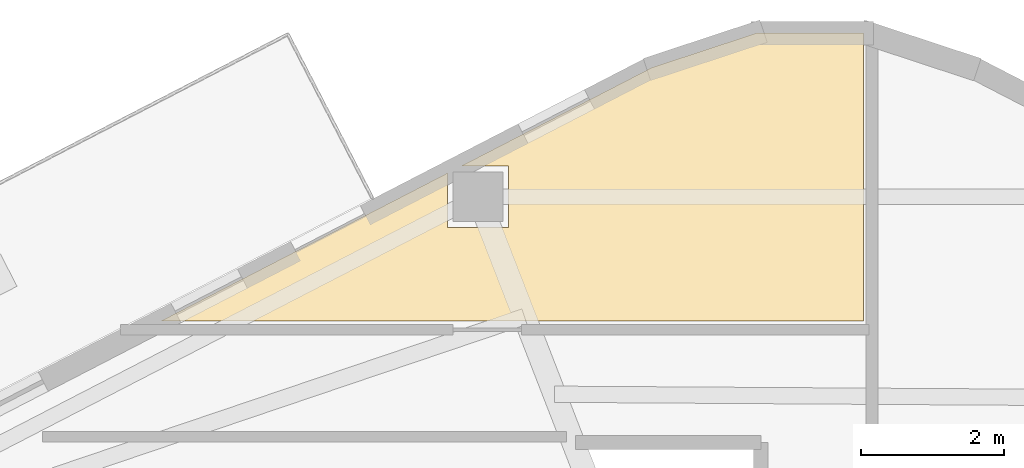
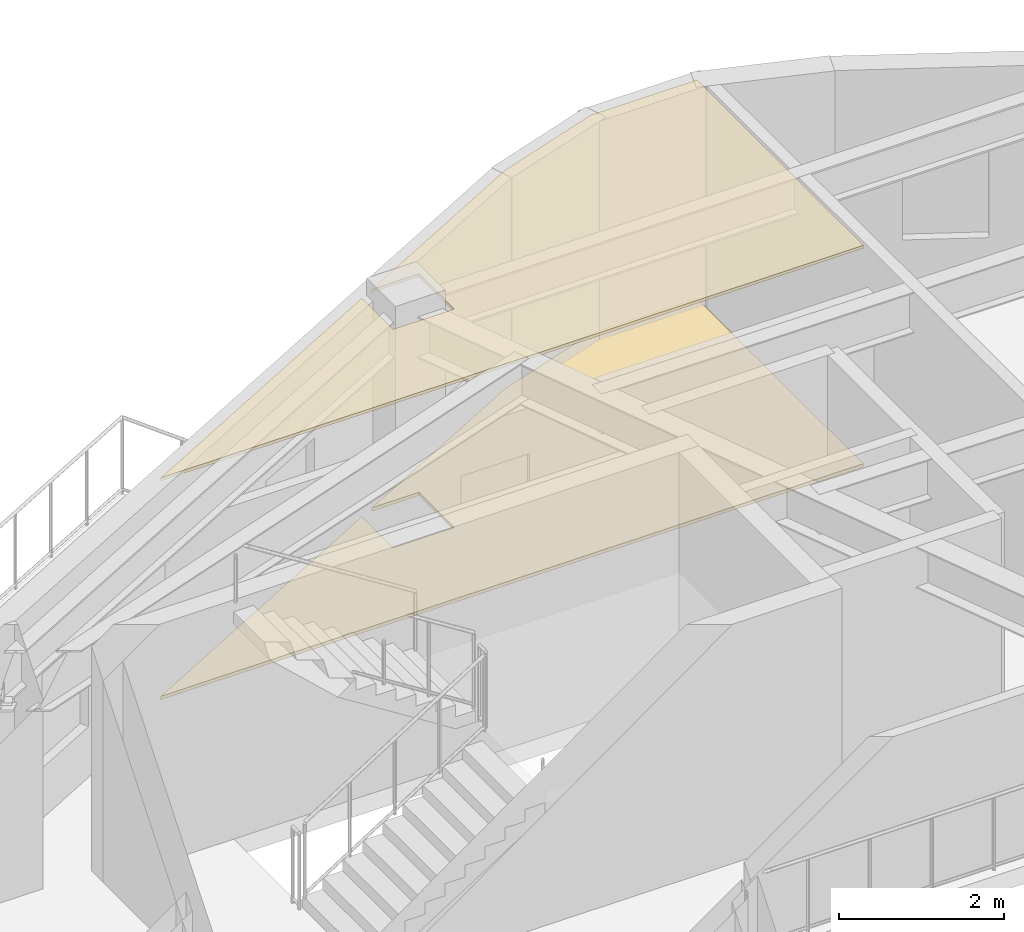
# One storey, part 7 of 7: 2 coverings.
"""IFC4 building model written with IfcOpenShell, lengths in metres."""

import ifcopenshell
import ifcopenshell.guid

model = None  # the IFC model being written
_history = None  # IfcOwnerHistory: only IFC2X3 demands one
_inside = {}  # id of a spatial element -> (the spatial element, [elements in it])
_under = {}  # id of a project, library or spatial element -> (it, [spatial elements below it])
_declared = {}  # id of a project -> (the project, [libraries it declares])
_typed = {}  # id of a type object -> (the type object, [elements of that type])
_made_of = {}  # id of a material, layer set ... -> (it, [elements and type objects made of it])


def new_model(schema):
    """Start an empty IFC model of exactly this schema.

    Asked for "IFC4X3", IfcOpenShell would pick the latest addendum, in which some entities
    have other attributes; the version numbers below select the first issue.
    IFC2X3 requires an IfcOwnerHistory on every rooted entity: one is made here for all.
    """
    global model, _history
    if schema == "IFC4X3":
        model = ifcopenshell.file(schema_version=(4, 3, 0, 0))
    else:
        model = ifcopenshell.file(schema=schema)
    _inside.clear()
    _under.clear()
    _declared.clear()
    _typed.clear()
    _made_of.clear()
    _history = None
    if model.schema == "IFC2X3":
        org = make("IfcOrganization", Name="unknown")
        user = make(
            "IfcPersonAndOrganization",
            ThePerson=make("IfcPerson", FamilyName="unknown"),
            TheOrganization=org,
        )
        app = make(
            "IfcApplication",
            ApplicationDeveloper=org,
            Version="unknown",
            ApplicationFullName="unknown",
            ApplicationIdentifier="unknown",
        )
        _history = make(
            "IfcOwnerHistory",
            OwningUser=user,
            OwningApplication=app,
            ChangeAction="ADDED",
            CreationDate=0,
        )
    return model


def make(cls, **values):
    """One entity of the class cls with the attributes given. An attribute that is None is left unset."""
    return model.create_entity(
        cls, **{name: value for name, value in values.items() if value is not None}
    )


def rooted(cls, **values):
    """An entity with a GlobalId (a new one), such as an element, a storey or a relation."""
    return make(cls, GlobalId=ifcopenshell.guid.new(), OwnerHistory=_history, **values)


def si_unit(unit_type, name, prefix=None):
    """IfcSIUnit, for example si_unit("LENGTHUNIT", "METRE", prefix="MILLI")."""
    return make("IfcSIUnit", UnitType=unit_type, Prefix=prefix, Name=name)


def assignment(units):
    """IfcUnitAssignment: the units of a project."""
    return None if units is None else make("IfcUnitAssignment", Units=units)


def point(xyz):
    """IfcCartesianPoint."""
    return None if xyz is None else make("IfcCartesianPoint", Coordinates=xyz)


def direction(xyz):
    """IfcDirection."""
    return None if xyz is None else make("IfcDirection", DirectionRatios=xyz)


def frame(location, z_axis=None, x_axis=None):
    """IfcAxis2Placement3D, a coordinate frame: its origin and axes. An axis left out is left unset."""
    return make(
        "IfcAxis2Placement3D",
        Location=point(location),
        Axis=direction(z_axis),
        RefDirection=direction(x_axis),
    )


def origin():
    """The frame at (0, 0, 0) with its axes left unset."""
    return frame((0.0, 0.0, 0.0))


def place(relative_to, where):
    """IfcLocalPlacement: puts the frame where relative to a parent placement (None: the world)."""
    return make(
        "IfcLocalPlacement", PlacementRelTo=relative_to, RelativePlacement=where
    )


def context(
    kind, dimensions, precision=None, world=None, true_north=None, identifier=None
):
    """IfcGeometricRepresentationContext, for example the 3D "Model" context."""
    return make(
        "IfcGeometricRepresentationContext",
        ContextIdentifier=identifier,
        ContextType=kind,
        CoordinateSpaceDimension=dimensions,
        Precision=precision,
        WorldCoordinateSystem=world,
        TrueNorth=true_north,
    )


def subcontext(parent, identifier, kind, view, scale=None):
    """IfcGeometricRepresentationSubContext, for example "Body" below "Model"."""
    return make(
        "IfcGeometricRepresentationSubContext",
        ContextIdentifier=identifier,
        ContextType=kind,
        ParentContext=parent,
        TargetScale=scale,
        TargetView=view,
    )


def project(units=None, contexts=None):
    """IfcProject with its units and contexts."""
    return rooted(
        "IfcProject",
        Name="project",
        RepresentationContexts=contexts,
        UnitsInContext=assignment(units),
    )


def spatial(cls, under=None, at=None, **own):
    """A site, building, storey or space (cls), placed at a placement, below another one or the project."""
    s = rooted(cls, ObjectPlacement=at, **own)
    if under is not None:
        _under.setdefault(under.id(), (under, []))[1].append(s)
    return s


def polyline(points):
    """IfcPolyline through the points."""
    return make("IfcPolyline", Points=[point(p) for p in points])


def outline(outer, holes=None, kind="AREA"):
    """IfcArbitraryClosedProfileDef: a profile drawn as a closed curve; with holes, ...WithVoids."""
    if holes is None:
        return make("IfcArbitraryClosedProfileDef", ProfileType=kind, OuterCurve=outer)
    return make(
        "IfcArbitraryProfileDefWithVoids",
        ProfileType=kind,
        OuterCurve=outer,
        InnerCurves=holes,
    )


def extrude(swept, where, along, depth):
    """IfcExtrudedAreaSolid: the profile swept, set in the frame where, extruded along a direction by depth."""
    return make(
        "IfcExtrudedAreaSolid",
        SweptArea=swept,
        Position=where,
        ExtrudedDirection=direction(along),
        Depth=depth,
    )


def shape(context_of_items, identifier, shape_type, items):
    """IfcShapeRepresentation: the items that make up one representation, for example the "Body"."""
    return make(
        "IfcShapeRepresentation",
        ContextOfItems=context_of_items,
        RepresentationIdentifier=identifier,
        RepresentationType=shape_type,
        Items=items,
    )


def material(Name=None, Category=None):
    """IfcMaterial."""
    return make("IfcMaterial", Name=Name, Category=Category)


def layer(
    of_material, thickness, ventilated=None, Name=None, Category=None, Priority=None
):
    """IfcMaterialLayer: one layer of a wall or slab, of a material (None: an air gap)."""
    return make(
        "IfcMaterialLayer",
        Material=of_material,
        LayerThickness=thickness,
        IsVentilated=ventilated,
        Name=Name,
        Category=Category,
        Priority=Priority,
    )


def layer_set(layers, Name=None):
    """IfcMaterialLayerSet."""
    return make("IfcMaterialLayerSet", MaterialLayers=layers, LayerSetName=Name)


def made_of(thing, what):
    """Note that an element or type object is made of a material, layer set ...; save() writes the relation."""
    if what is not None:
        _made_of.setdefault(what.id(), (what, []))[1].append(thing)
    return thing


def type_object(cls, material=None, **own):
    """A type object (cls), such as IfcWallType, which elements share."""
    return made_of(rooted(cls, **own), material)


def element(
    cls,
    number,
    at=None,
    inside=None,
    cuts=None,
    type_object=None,
    material=None,
    context=None,
    identifier="Body",
    shape_type=None,
    held_by="IfcProductDefinitionShape",
    body=None,
    shapes=None,
    **own,
):
    """One element of the class cls, such as IfcWall. Its Tag is "e" and its number.

    at: its placement. inside: the storey or other place that contains it. cuts: it is an
    opening in that element (IfcRelVoidsElement). A single representation is given by context,
    identifier, shape_type and body (its items); several are given by shapes. held_by: the class
    of the entity that holds the representations. save() writes the other relations.
    """
    e = rooted(cls, Tag="e%d" % number, ObjectPlacement=at, **own)
    if body is not None:
        shapes = [shape(context, identifier, shape_type, body)]
    if shapes is not None:
        e.Representation = make(held_by, Representations=shapes)
    if inside is not None:
        _inside.setdefault(inside.id(), (inside, []))[1].append(e)
    if cuts is not None:
        rooted(
            "IfcRelVoidsElement", RelatingBuildingElement=cuts, RelatedOpeningElement=e
        )
    if type_object is not None:
        _typed.setdefault(type_object.id(), (type_object, []))[1].append(e)
    return made_of(e, material)


def aggregate(whole, parts):
    """IfcRelAggregates: a whole, such as a stair, and the parts it consists of."""
    return rooted("IfcRelAggregates", RelatingObject=whole, RelatedObjects=parts)


def save(model, path):
    """Write the relations noted so far, then the file.

    IfcRelAggregates (storeys below a building ...), IfcRelContainedInSpatialStructure (elements
    in a storey), IfcRelDefinesByType, IfcRelAssociatesMaterial and IfcRelDeclares: one each for
    every whole, place, type object, material and project.
    """
    for whole, parts in _under.values():
        aggregate(whole, parts)
    for where, things in _inside.values():
        rooted(
            "IfcRelContainedInSpatialStructure",
            RelatedElements=things,
            RelatingStructure=where,
        )
    for kind, things in _typed.values():
        rooted("IfcRelDefinesByType", RelatedObjects=things, RelatingType=kind)
    for what, things in _made_of.values():
        rooted("IfcRelAssociatesMaterial", RelatedObjects=things, RelatingMaterial=what)
    for by, libraries in _declared.values():
        rooted("IfcRelDeclares", RelatingContext=by, RelatedDefinitions=libraries)
    model.write(path)


model = new_model("IFC4")

# Units and contexts
model_context = context("Model", 3, precision=1e-05, world=origin(), true_north=direction((0.0, 1.0)))
body_context = subcontext(model_context, "Body", "Model", "MODEL_VIEW")
ifc_project = project(units=[si_unit("LENGTHUNIT", "METRE"), si_unit("AREAUNIT", "SQUARE_METRE"), si_unit("VOLUMEUNIT", "CUBIC_METRE"), si_unit("PLANEANGLEUNIT", "RADIAN"), si_unit("MASSUNIT", "GRAM", prefix="KILO"), si_unit("THERMODYNAMICTEMPERATUREUNIT", "KELVIN"), si_unit("POWERUNIT", "WATT")], contexts=[model_context])

# Site, building, storey
site_placement = place(None, origin())
site = spatial("IfcSite", under=ifc_project, at=site_placement, CompositionType="ELEMENT")
building_placement = place(site_placement, origin())
building = spatial("IfcBuilding", under=site, at=building_placement, Name="Skarre Station Tower", CompositionType="ELEMENT")
storey_placement = place(building_placement, frame((0.0, 0.0, 249.0)))
storey = spatial("IfcBuildingStorey", under=building, at=storey_placement, Name="L68", CompositionType="ELEMENT", Elevation=249.0)

# Coverings
ifc_material_1 = material(Name="Honed Jura Limestone & Calcium-Sulfate Access Tile", Category="masonry")
ifc_layer_1 = layer(ifc_material_1, 0.050048828125, Name="Honed Jura Limestone & Calcium-Sulfate Access Tile")
ifc_layer_set_1 = layer_set([ifc_layer_1], Name="Honed Jura Limestone & Calcium-Sulfate Access Tile")
covering_type_1 = type_object("IfcCoveringType", Name="Honed Limestone & Raised Access Floor Finish 50", PredefinedType="FLOORING", material=ifc_layer_set_1)
covering_1_placement = place(storey_placement, origin())
element("IfcCovering", 1, at=covering_1_placement, inside=storey, type_object=covering_type_1, Name="L68 Limestone Access Flooring 1", PredefinedType="FLOORING", context=body_context, shape_type="SweptSolid", body=[
    extrude(outline(polyline([(33.919921875, 41.74609375), (32.429931640625, 41.74609375), (30.9541015625, 41.260009765625), (28.27490234375, 39.876953125), (28.94091796875, 39.876953125), (28.94091796875, 39.01708984375), (28.0810546875, 39.01708984375), (28.0810546875, 39.777099609375), (24.05810546875, 37.699951171875), (33.919921875, 37.699951171875), (33.919921875, 41.74609375)])), origin(), (0.0, 0.0, 1.0), 0.050048828125),
])
ifc_material_2 = material(Name="Perforated Nordic Birch Veneer & Mineral Wool", Category="wood")
ifc_layer_2 = layer(ifc_material_2, 0.044921875, Name="Perforated Nordic Birch Veneer & Mineral Wool")
ifc_layer_set_2 = layer_set([ifc_layer_2], Name="Perforated Nordic Birch Veneer & Mineral Wool")
covering_type_2 = type_object("IfcCoveringType", Name="Nordic Birch Slatted Acoustic Suspended Ceiling 45", PredefinedType="CEILING", material=ifc_layer_set_2)
covering_2_placement = place(storey_placement, frame((0.0, 0.0, 3.2451171875)))
element("IfcCovering", 2, at=covering_2_placement, inside=storey, type_object=covering_type_2, Name="L68 Acoustic Birch Ceiling 1", PredefinedType="CEILING", context=body_context, shape_type="SweptSolid", body=[
    extrude(outline(polyline([(33.919921875, 41.74609375), (32.429931640625, 41.74609375), (30.9541015625, 41.260009765625), (28.27490234375, 39.876953125), (28.94091796875, 39.876953125), (28.94091796875, 39.01708984375), (28.0810546875, 39.01708984375), (28.0810546875, 39.777099609375), (24.05810546875, 37.699951171875), (33.919921875, 37.699951171875), (33.919921875, 41.74609375)])), origin(), (0.0, 0.0, 1.0), 0.044921875),
])

save(model, "model.ifc")
